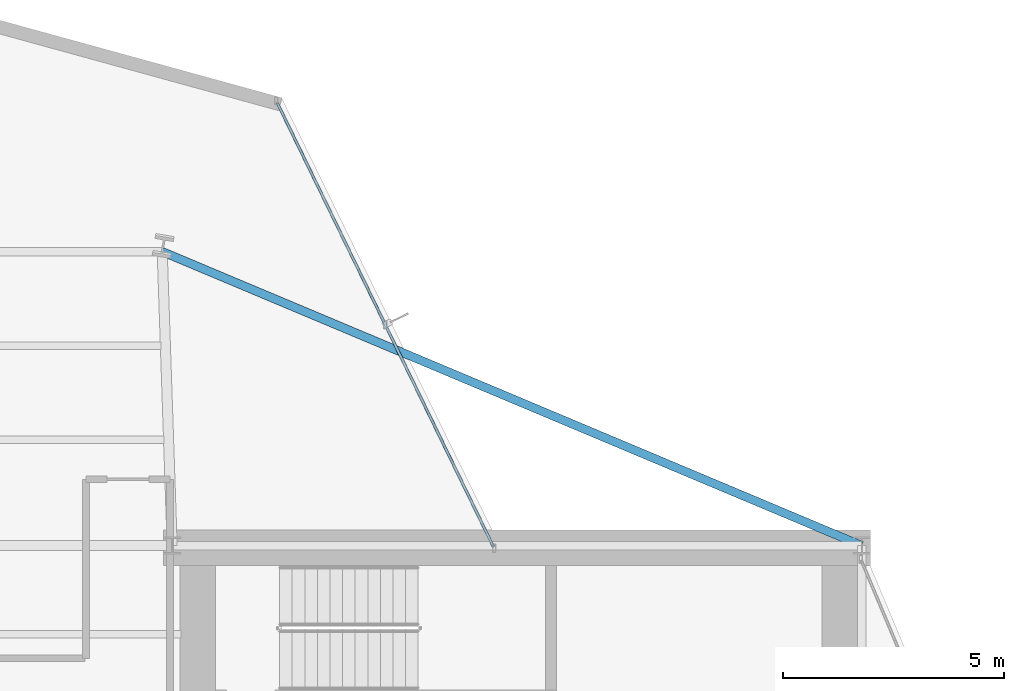
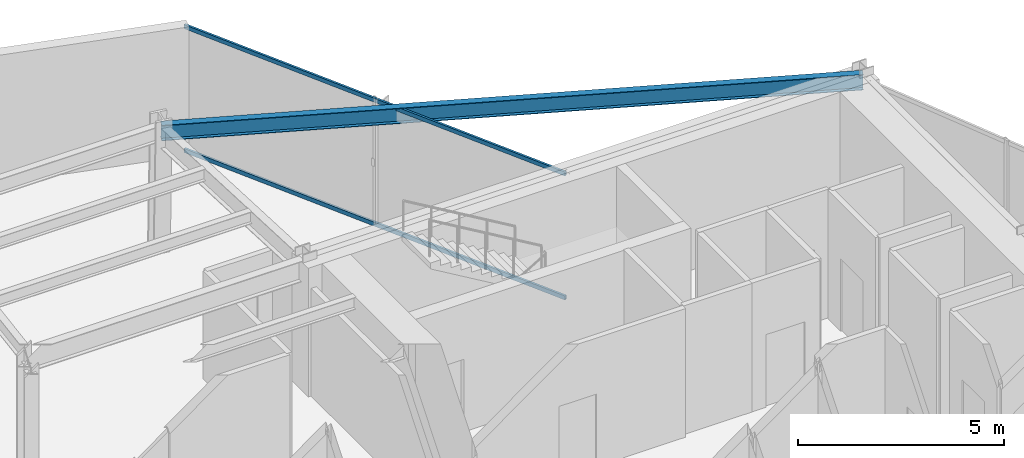
# One storey, part 16 of 24: 2 members, 1 beam, 1 element without a shape of its own.
"""IFC4 building model written with IfcOpenShell, lengths in metres."""

from ifc_helpers import new_model, si_unit, direction, frame, origin, origin_2d, place, context, subcontext, project, spatial, hollow_rectangle, i_section, extrude, material, layer, layer_set, material_profile, profile_set, type_object, element, aggregate, save


model = new_model("IFC4")

# Units and contexts
model_context = context("Model", 3, precision=1e-05, world=origin(), true_north=direction((0.0, 1.0)))
body_context = subcontext(model_context, "Body", "Model", "MODEL_VIEW")
ifc_project = project(units=[si_unit("LENGTHUNIT", "METRE"), si_unit("AREAUNIT", "SQUARE_METRE"), si_unit("VOLUMEUNIT", "CUBIC_METRE"), si_unit("PLANEANGLEUNIT", "RADIAN"), si_unit("MASSUNIT", "GRAM", prefix="KILO")], contexts=[model_context])

# Site, building, storey
site_placement = place(None, origin())
site = spatial("IfcSite", under=ifc_project, at=site_placement, CompositionType="ELEMENT")
building_placement = place(site_placement, origin())
building = spatial("IfcBuilding", under=site, at=building_placement, Name="Veymaron Broadcast Tower", CompositionType="ELEMENT")
storey_placement = place(building_placement, frame((0.0, 0.0, 124.949951171875)))
storey = spatial("IfcBuildingStorey", under=building, at=storey_placement, Name="L28", CompositionType="ELEMENT", Elevation=124.949951171875)

# Beam
ifc_material_1 = material(Name="Structural steel ASTM A992 Gr 50", Category="steel")
ifc_material_profile_1 = material_profile(ifc_material_1, i_section(OverallWidth=0.19091796875, OverallDepth=0.4599609375, WebThickness=0.010009765625, FlangeThickness=0.01611328125, at=origin_2d()), Name="W460X82")
ifc_profile_set_1 = profile_set([ifc_material_profile_1], Name="Structural steel ASTM A992 Gr 50")
beam_type = type_object("IfcBeamType", Name="BM-SP1", PredefinedType="SPANDREL", material=ifc_profile_set_1)
beam_placement = place(storey_placement, frame((54.60009765625, 32.0, 3.580078125), z_axis=(-0.921913032928, 0.38739690205, 0.0), x_axis=(-0.38739690205, -0.921913032928, 0.0)))
element("IfcBeam", 1, at=beam_placement, inside=storey, type_object=beam_type, Name="L28 primary structural floor girder", PredefinedType="SPANDREL", context=body_context, shape_type="SweptSolid", body=[
    extrude(i_section(OverallWidth=0.19091796875, OverallDepth=0.4599609375, WebThickness=0.010009765625, FlangeThickness=0.01611328125, at=origin_2d()), origin(), (0.0, 0.0, 1.0), 17.16552734375),
])

# Curtain wall, members
ifc_material_2 = material(Name="Anodised aluminium AA 6063-T6 and laminated low-E dark glass", Category="aluminium")
ifc_layer = layer(ifc_material_2, 0.179931640625)
ifc_layer_set = layer_set([ifc_layer], Name="Anodised aluminium AA 6063-T6 and laminated low-E dark glass")
curtain_wall_type = type_object("IfcCurtainWallType", Name="CW-SYS-03", PredefinedType="NOTDEFINED", material=ifc_layer_set)
curtain_wall_placement = place(storey_placement, origin())
curtain_wall = element("IfcCurtainWall", 2, at=curtain_wall_placement, inside=storey, type_object=curtain_wall_type, Name="L28 dark-glass curtain wall CW-L28-E5-1", PredefinedType="NOTDEFINED")
ifc_material_3 = material(Name="Anodised aluminium AA 6063-T6", Category="aluminium")
ifc_material_profile_2 = material_profile(ifc_material_3, hollow_rectangle(XDim=0.06005859375, YDim=0.1201171875, WallThickness=0.00390625, at=origin_2d()), Name="AL120X60X4")
ifc_profile_set_2 = profile_set([ifc_material_profile_2], Name="Anodised aluminium AA 6063-T6")
member_type = type_object("IfcMemberType", Name="CW-TRN-02", PredefinedType="USERDEFINED", material=ifc_profile_set_2)
member_1_placement = place(storey_placement, frame((46.2626953125, 31.983642578125, 0.070068359375), z_axis=(-0.43783155642, 0.899057021663, 0.0), x_axis=(-0.899057021663, -0.43783155642, 0.0)))
member_1 = element("IfcMember", 3, at=member_1_placement, type_object=member_type, Name="CW-L28-E5-1 transom B", ObjectType="TRANSOM", PredefinedType="USERDEFINED", context=body_context, shape_type="SweptSolid", body=[
    extrude(hollow_rectangle(XDim=0.06005859375, YDim=0.1201171875, WallThickness=0.00390625, at=origin_2d()), origin(), (0.0, 0.0, 1.0), 11.15625),
])
member_2_placement = place(storey_placement, frame((46.2626953125, 31.983642578125, 3.739990234375), z_axis=(-0.43783155642, 0.899057021663, 0.0), x_axis=(-0.899057021663, -0.43783155642, 0.0)))
member_2 = element("IfcMember", 4, at=member_2_placement, type_object=member_type, Name="CW-L28-E5-1 transom T", ObjectType="TRANSOM", PredefinedType="USERDEFINED", context=body_context, shape_type="SweptSolid", body=[
    extrude(hollow_rectangle(XDim=0.06005859375, YDim=0.1201171875, WallThickness=0.00390625, at=origin_2d()), origin(), (0.0, 0.0, 1.0), 11.15625),
])
aggregate(curtain_wall, [member_1, member_2])

save(model, "model.ifc")
